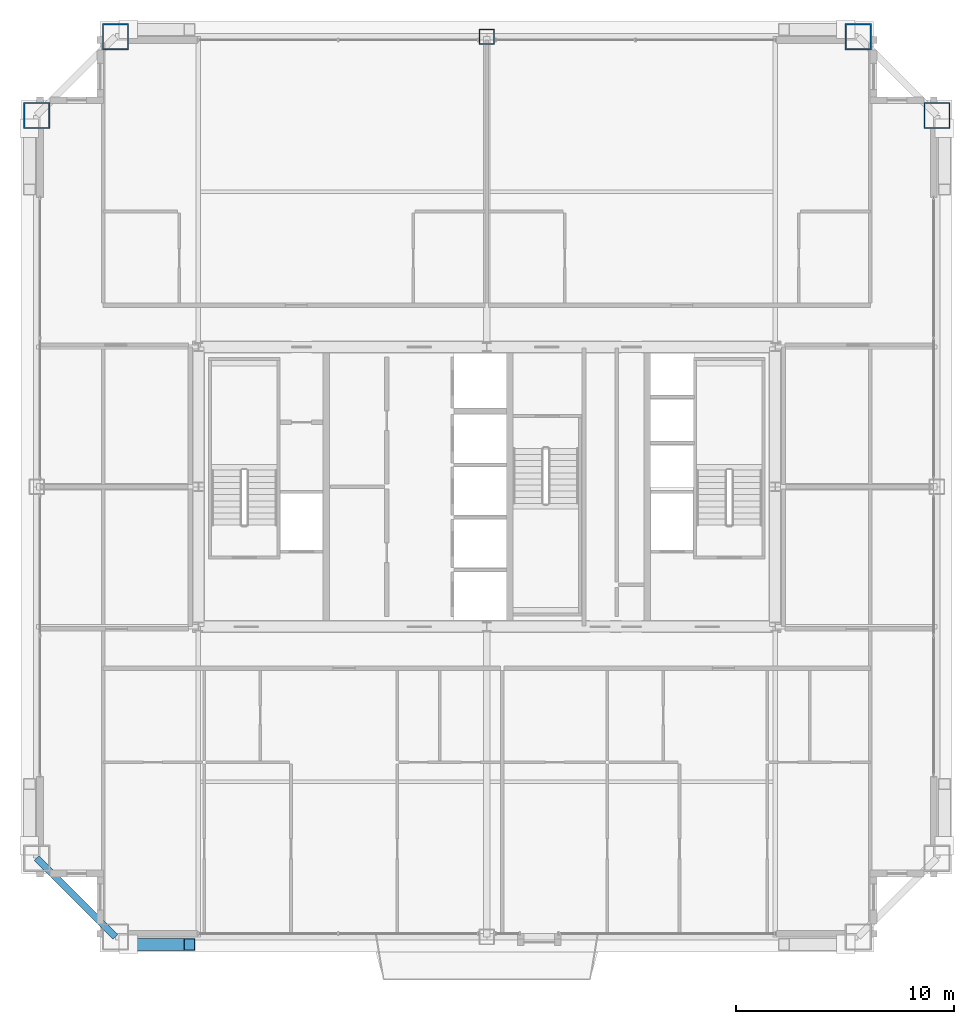
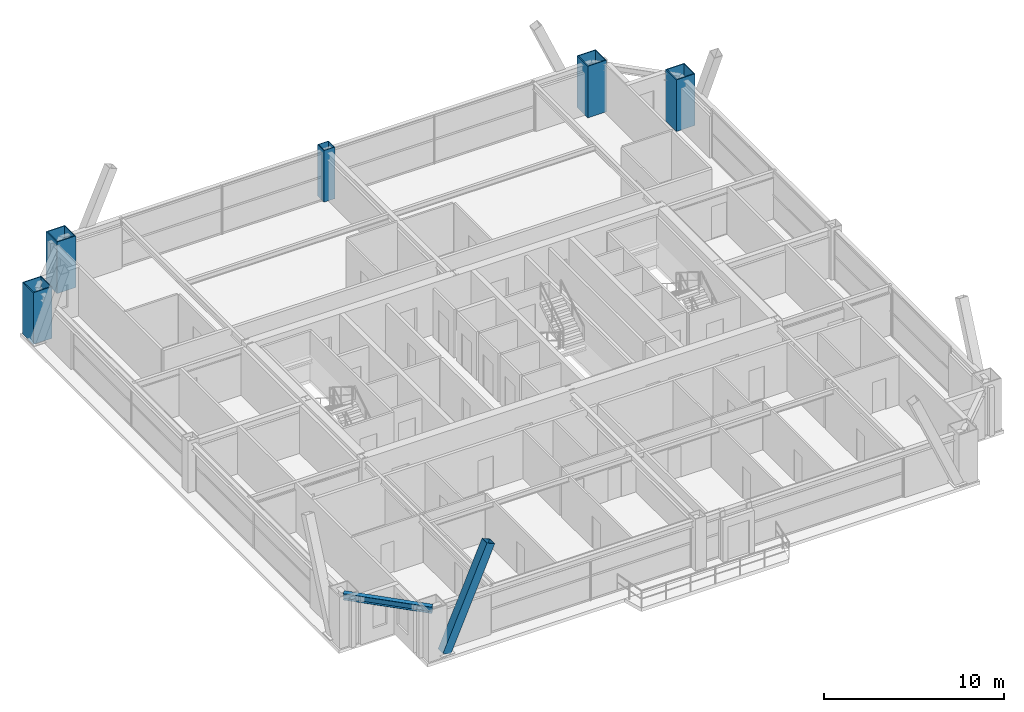
# One storey, part 2 of 35: 5 columns, 1 beam, 1 member.
"""IFC4 building model written with IfcOpenShell, lengths in metres."""

from ifc_helpers import new_model, si_unit, direction, frame, origin, origin_2d, place, context, subcontext, project, spatial, hollow_rectangle, i_section, extrude, source, transform, mapped, material, material_profile, profile_set, type_object, element, save


model = new_model("IFC4")

# Units and contexts
model_context = context("Model", 3, precision=1e-05, world=origin(), true_north=direction((0.0, 1.0)))
body_context = subcontext(model_context, "Body", "Model", "MODEL_VIEW")
ifc_project = project(units=[si_unit("LENGTHUNIT", "METRE"), si_unit("AREAUNIT", "SQUARE_METRE"), si_unit("VOLUMEUNIT", "CUBIC_METRE"), si_unit("PLANEANGLEUNIT", "RADIAN"), si_unit("MASSUNIT", "GRAM", prefix="KILO"), si_unit("THERMODYNAMICTEMPERATUREUNIT", "KELVIN"), si_unit("POWERUNIT", "WATT")], contexts=[model_context])

# Site, building, storey
site_placement = place(None, origin())
site = spatial("IfcSite", under=ifc_project, at=site_placement, CompositionType="ELEMENT")
building_placement = place(site_placement, origin())
building = spatial("IfcBuilding", under=site, at=building_placement, Name="Yuzanri Waterfront Tower", CompositionType="ELEMENT")
storey_placement = place(building_placement, frame((0.0, 0.0, 227.60009765625)))
storey = spatial("IfcBuildingStorey", under=building, at=storey_placement, Name="L60", CompositionType="ELEMENT", Elevation=227.60009765625)

# Columns
ifc_material_1 = material(Name="Steel Q390GJC", Category="steel")
ifc_material_profile_1 = material_profile(ifc_material_1, hollow_rectangle(XDim=1.199951171875, YDim=1.199951171875, WallThickness=0.054931640625, at=origin_2d()), Name="RHS 1200x1200x55")
ifc_profile_set_1 = profile_set([ifc_material_profile_1], Name="Steel Q390GJC")
column_type_1 = type_object("IfcColumnType", Name="Mega Column Q390GJC RHS 1200x1200x55", PredefinedType="COLUMN", material=ifc_profile_set_1)
shared_shape_1 = source(origin(), body_context, "Body", "SweptSolid", [
    extrude(hollow_rectangle(XDim=1.199951171875, YDim=1.199951171875, WallThickness=0.054931640625, at=origin_2d()), origin(), (0.0, 0.0, 1.0), 3.5),
])
for number, where, z_axis, x_axis, name in (
    (1, (20.0, 46.39990234375, 0.0), (0.0, 0.0, 1.0), (1.0, 0.0, 0.0), "L60 Perimeter Mega Column N1"),
    (2, (54.0, 46.39990234375, 0.0), (0.0, 0.0, 1.0), (1.0, 0.0, 0.0), "L60 Perimeter Mega Column N3"),
    (3, (16.39990234375, 42.800048828125, 0.0), (0.0, 0.0, 1.0), (1.0, 0.0, 0.0), "L60 Perimeter Mega Column W3"),
    (4, (57.60009765625, 42.800048828125, 0.0), (0.0, 0.0, 1.0), (1.0, 0.0, 0.0), "L60 Perimeter Mega Column E3"),
):
    element("IfcColumn", number, at=place(storey_placement, frame(where, z_axis=z_axis, x_axis=x_axis)), inside=storey, type_object=column_type_1, Name=name, PredefinedType="COLUMN", context=body_context, shape_type="MappedRepresentation", body=[
        mapped(shared_shape_1, transform((0.0, 0.0, 0.0), scale=1.0)),
    ])
ifc_material_2 = material(Name="Steel Q355B", Category="steel")
ifc_material_profile_2 = material_profile(ifc_material_2, hollow_rectangle(XDim=0.699951171875, YDim=0.699951171875, WallThickness=0.031982421875, at=origin_2d()), Name="RHS 700x700x32")
ifc_profile_set_2 = profile_set([ifc_material_profile_2], Name="Steel Q355B")
column_type_2 = type_object("IfcColumnType", Name="Frame Column Q355B RHS 700x700x32", PredefinedType="COLUMN", material=ifc_profile_set_2)
shared_shape_2 = source(origin(), body_context, "Body", "SweptSolid", [
    extrude(hollow_rectangle(XDim=0.699951171875, YDim=0.699951171875, WallThickness=0.031982421875, at=origin_2d()), origin(), (0.0, 0.0, 1.0), 3.5),
])
column_placement = place(storey_placement, frame((37.0, 46.39990234375, 0.0), z_axis=(0.0, 0.0, 1.0), x_axis=(1.0, 0.0, 0.0)))
element("IfcColumn", 5, at=column_placement, inside=storey, type_object=column_type_2, Name="L60 Perimeter Frame Column N2", PredefinedType="COLUMN", context=body_context, shape_type="MappedRepresentation", body=[
    mapped(shared_shape_2, transform((0.0, 0.0, 0.0), scale=1.0)),
])

# Beam
ifc_material_3 = material(Name="Steel Q355B", Category="steel")
ifc_material_profile_3 = material_profile(ifc_material_3, i_section(OverallWidth=0.300048828125, OverallDepth=0.43994140625, WebThickness=0.010986328125, FlangeThickness=0.01806640625, at=origin_2d()), Name="HM 440x300x11x18")
ifc_profile_set_3 = profile_set([ifc_material_profile_3], Name="Steel Q355B")
beam_type = type_object("IfcBeamType", Name="Perimeter Spandrel Q355B HM 440x300", PredefinedType="SPANDREL", material=ifc_profile_set_3)
shared_shape_3 = source(origin(), body_context, "Body", "SweptSolid", [
    extrude(i_section(OverallWidth=0.300048828125, OverallDepth=0.43994140625, WebThickness=0.010986328125, FlangeThickness=0.01806640625, at=origin_2d()), origin(), (0.0, 0.0, 1.0), 5.09130859375),
])
beam_placement = place(storey_placement, frame((16.39990234375, 8.800048828125, 3.059814453125), z_axis=(0.707106781187, -0.707106781187, 0.0), x_axis=(0.707106781187, 0.707106781187, 0.0)))
element("IfcBeam", 6, at=beam_placement, inside=storey, type_object=beam_type, Name="L60 Perimeter Spandrel W1-S1", PredefinedType="SPANDREL", context=body_context, shape_type="MappedRepresentation", body=[
    mapped(shared_shape_3, transform((0.0, 0.0, 0.0), scale=1.0)),
])

# Member
ifc_material_4 = material(Name="Steel Q390GJC", Category="steel")
ifc_material_profile_4 = material_profile(ifc_material_4, hollow_rectangle(XDim=0.550048828125, YDim=0.550048828125, WallThickness=0.02490234375, at=origin_2d()), Name="RHS 550x550x25")
ifc_profile_set_4 = profile_set([ifc_material_profile_4], Name="Steel Q390GJC")
member_type = type_object("IfcMemberType", Name="Mega Brace Mid Q390GJC RHS 550x550x25", PredefinedType="BRACE", material=ifc_profile_set_4)
shared_shape_4 = source(origin(), body_context, "Body", "SweptSolid", [
    extrude(hollow_rectangle(XDim=0.550048828125, YDim=0.550048828125, WallThickness=0.02490234375, at=origin_2d()), origin(), (0.0, 0.0, 1.0), 7.085205078125),
])
member_placement = place(storey_placement, frame((20.580078125, 4.860107421875, 0.179931640625), z_axis=(0.397982599681, 0.0, 0.917392963975), x_axis=(0.0, 1.0, 0.0)))
element("IfcMember", 7, at=member_placement, inside=storey, type_object=member_type, Name="L60-L61 Perimeter Mega-Brace S-L", PredefinedType="BRACE", context=body_context, shape_type="MappedRepresentation", body=[
    mapped(shared_shape_4, transform((0.0, 0.0, 0.0), scale=1.0)),
])

save(model, "model.ifc")
